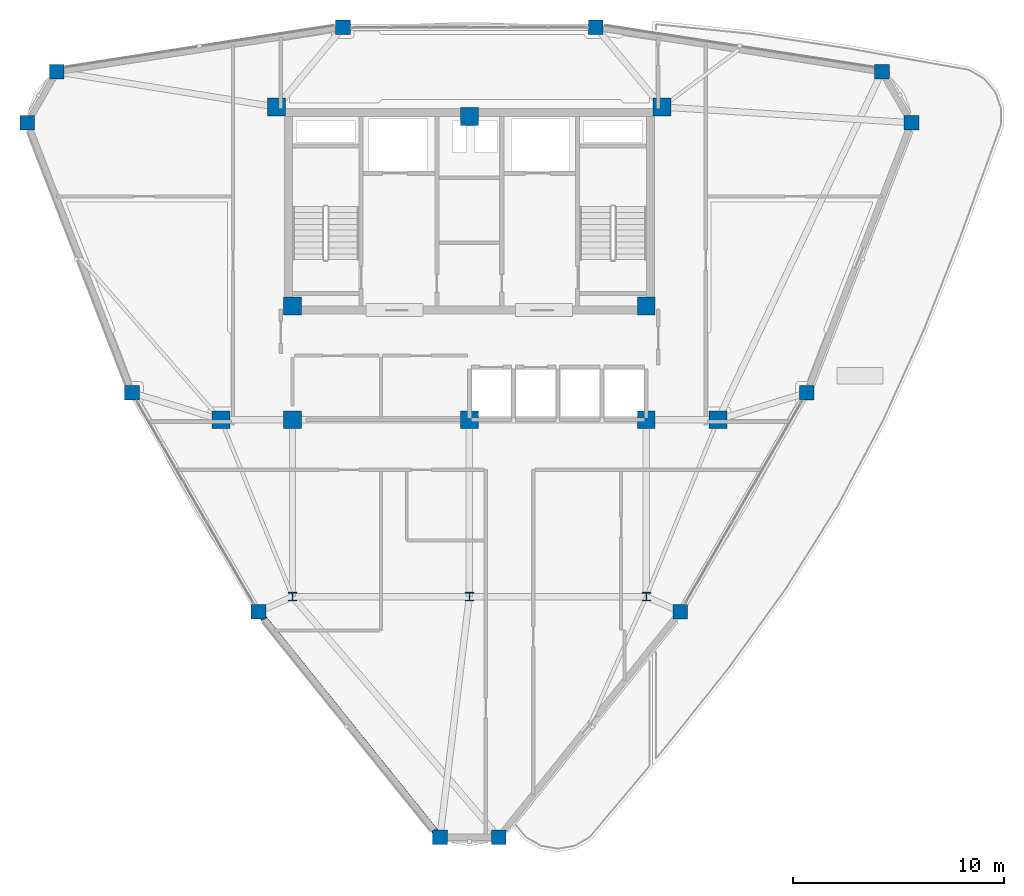
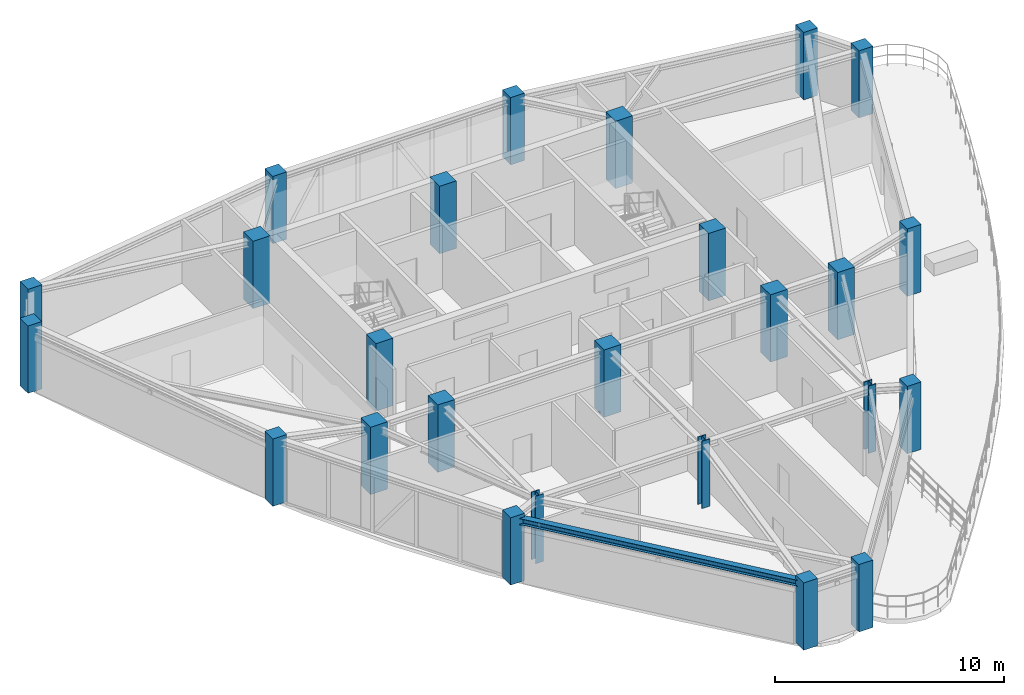
# One storey, part 1 of 16: 25 columns, 1 beam.
"""IFC4 building model written with IfcOpenShell, lengths in metres."""

from ifc_helpers import new_model, si_unit, derived_unit, direction, frame, origin, origin_2d, place, context, subcontext, project, spatial, rectangle, i_section, extrude, source, transform, mapped, material, material_profile, profile_set, type_object, element, save


model = new_model("IFC4")

# Units and contexts
model_context = context("Model", 3, precision=1e-05, world=origin(), true_north=direction((0.0, 1.0)))
body_context = subcontext(model_context, "Body", "Model", "MODEL_VIEW")
ifc_project = project(units=[si_unit("LENGTHUNIT", "METRE"), si_unit("AREAUNIT", "SQUARE_METRE"), si_unit("VOLUMEUNIT", "CUBIC_METRE"), si_unit("PLANEANGLEUNIT", "RADIAN"), si_unit("MASSUNIT", "GRAM", prefix="KILO"), derived_unit("THERMALTRANSMITTANCEUNIT", [(si_unit("POWERUNIT", "WATT"), 1), (si_unit("LENGTHUNIT", "METRE"), -2), (si_unit("THERMODYNAMICTEMPERATUREUNIT", "KELVIN"), -1)])], contexts=[model_context])

# Site, building, storey
site_placement = place(None, origin())
site = spatial("IfcSite", under=ifc_project, at=site_placement, CompositionType="ELEMENT")
building_placement = place(site_placement, origin())
building = spatial("IfcBuilding", under=site, at=building_placement, Name="Korsvarv Bourse and Concert Hall", CompositionType="ELEMENT")
storey_placement = place(building_placement, frame((0.0, 0.0, 243.0)))
storey = spatial("IfcBuildingStorey", under=building, at=storey_placement, Name="L63", CompositionType="ELEMENT", Elevation=243.0)

# Columns
ifc_material_1 = material(Name="Concrete C50/60", Category="concrete")
ifc_material_profile_1 = material_profile(ifc_material_1, rectangle(XDim=0.85009765625, YDim=0.85009765625, at=origin_2d()), Name="RC 850x850")
ifc_profile_set_1 = profile_set([ifc_material_profile_1], Name="Concrete C50/60")
column_type_1 = type_object("IfcColumnType", Name="COL-RC850", PredefinedType="COLUMN", material=ifc_profile_set_1)
shared_shape_1 = source(origin(), body_context, "Body", "SweptSolid", [
    extrude(rectangle(XDim=0.85009765625, YDim=0.85009765625, at=origin_2d()), origin(), (0.0, 0.0, 1.0), 3.60009765625),
])
for number, where, z_axis, x_axis, name in (
    (1, (26.85009765625, 47.25, 0.0), (0.0, 0.0, 1.0), (1.0, 0.0, 0.0), "L63 column C-04"),
    (2, (45.14990234375, 47.25, 0.0), (0.0, 0.0, 1.0), (1.0, 0.0, 0.0), "L63 column C-04"),
    (3, (27.60009765625, 37.800048828125, 0.0), (0.0, 0.0, 1.0), (1.0, 0.0, 0.0), "L63 column C-04"),
    (4, (44.39990234375, 37.800048828125, 0.0), (0.0, 0.0, 1.0), (1.0, 0.0, 0.0), "L63 column C-04"),
    (5, (27.60009765625, 32.39990234375, 0.0), (0.0, 0.0, 1.0), (1.0, 0.0, 0.0), "L63 column C-04"),
    (6, (44.39990234375, 32.39990234375, 0.0), (0.0, 0.0, 1.0), (1.0, 0.0, 0.0), "L63 column C-04"),
    (7, (36.0, 46.800048828125, 0.0), (0.0, 0.0, 1.0), (1.0, 0.0, 0.0), "L63 column C-04"),
    (8, (36.0, 32.39990234375, 0.0), (0.0, 0.0, 1.0), (1.0, 0.0, 0.0), "L63 column C-04"),
    (9, (24.199951171875, 32.39990234375, 0.0), (0.0, 0.0, 1.0), (1.0, 0.0, 0.0), "L63 column C-04"),
    (10, (47.800048828125, 32.39990234375, 0.0), (0.0, 0.0, 1.0), (1.0, 0.0, 0.0), "L63 column C-04"),
):
    element("IfcColumn", number, at=place(storey_placement, frame(where, z_axis=z_axis, x_axis=x_axis)), inside=storey, type_object=column_type_1, Name=name, PredefinedType="COLUMN", context=body_context, shape_type="MappedRepresentation", body=[
        mapped(shared_shape_1, transform((0.0, 0.0, 0.0), scale=1.0)),
    ])
ifc_material_2 = material(Name="Steel S355", Category="steel")
ifc_material_profile_2 = material_profile(ifc_material_2, i_section(OverallWidth=0.40087890625, OverallDepth=0.39892578125, WebThickness=0.0224609375, FlangeThickness=0.035888671875, FilletRadius=0.014892578125, at=origin_2d()), Name="HD 400x314")
ifc_profile_set_2 = profile_set([ifc_material_profile_2], Name="Steel S355")
column_type_2 = type_object("IfcColumnType", Name="COL-HD314", PredefinedType="COLUMN", material=ifc_profile_set_2)
shared_shape_2 = source(origin(), body_context, "Body", "SweptSolid", [
    extrude(i_section(OverallWidth=0.40087890625, OverallDepth=0.39892578125, WebThickness=0.0224609375, FlangeThickness=0.035888671875, FilletRadius=0.014892578125, at=origin_2d()), origin(), (0.0, 0.0, 1.0), 3.60009765625),
])
for number, where, z_axis, x_axis, name in (
    (11, (27.60009765625, 24.0, 0.0), (0.0, 0.0, 1.0), (1.0, 0.0, 0.0), "L63 column C-11"),
    (12, (44.39990234375, 24.0, 0.0), (0.0, 0.0, 1.0), (1.0, 0.0, 0.0), "L63 column C-11"),
    (13, (36.0, 24.0, 0.0), (0.0, 0.0, 1.0), (1.0, 0.0, 0.0), "L63 column C-11"),
):
    element("IfcColumn", number, at=place(storey_placement, frame(where, z_axis=z_axis, x_axis=x_axis)), inside=storey, type_object=column_type_2, Name=name, PredefinedType="COLUMN", context=body_context, shape_type="MappedRepresentation", body=[
        mapped(shared_shape_2, transform((0.0, 0.0, 0.0), scale=1.0)),
    ])
ifc_material_profile_3 = material_profile(ifc_material_1, rectangle(XDim=0.699951171875, YDim=0.699951171875, at=origin_2d()), Name="RC 700x700")
ifc_profile_set_3 = profile_set([ifc_material_profile_3], Name="Concrete C50/60")
column_type_3 = type_object("IfcColumnType", Name="COL-RC700", PredefinedType="COLUMN", material=ifc_profile_set_3)
shared_shape_3 = source(origin(), body_context, "Body", "SweptSolid", [
    extrude(rectangle(XDim=0.699951171875, YDim=0.699951171875, at=origin_2d()), origin(), (0.0, 0.0, 1.0), 3.60009765625),
])
for number, where, z_axis, x_axis, name in (
    (14, (56.98779296875, 46.503662109375, 0.0), (0.0, 0.0, 1.0), (1.0, 0.0, 0.0), "L63 column C-05"),
    (15, (55.59033203125, 48.924072265625, 0.0), (0.0, 0.0, 1.0), (1.0, 0.0, 0.0), "L63 column C-05"),
    (16, (42.00439453125, 51.03271484375, 0.0), (0.0, 0.0, 1.0), (1.0, 0.0, 0.0), "L63 column C-05"),
    (17, (29.99560546875, 51.03271484375, 0.0), (0.0, 0.0, 1.0), (1.0, 0.0, 0.0), "L63 column C-05"),
    (18, (16.40966796875, 48.924072265625, 0.0), (0.0, 0.0, 1.0), (1.0, 0.0, 0.0), "L63 column C-05"),
    (19, (15.01220703125, 46.503662109375, 0.0), (0.0, 0.0, 1.0), (1.0, 0.0, 0.0), "L63 column C-05"),
    (20, (19.97900390625, 33.68359375, 0.0), (0.0, 0.0, 1.0), (1.0, 0.0, 0.0), "L63 column C-05"),
    (21, (25.9833984375, 23.28369140625, 0.0), (0.0, 0.0, 1.0), (1.0, 0.0, 0.0), "L63 column C-05"),
    (22, (34.6025390625, 12.572265625, 0.0), (0.0, 0.0, 1.0), (1.0, 0.0, 0.0), "L63 column C-05"),
    (23, (37.3974609375, 12.572265625, 0.0), (0.0, 0.0, 1.0), (1.0, 0.0, 0.0), "L63 column C-05"),
    (24, (46.0166015625, 23.28369140625, 0.0), (0.0, 0.0, 1.0), (1.0, 0.0, 0.0), "L63 column C-05"),
    (25, (52.02099609375, 33.68359375, 0.0), (0.0, 0.0, 1.0), (1.0, 0.0, 0.0), "L63 column C-05"),
):
    element("IfcColumn", number, at=place(storey_placement, frame(where, z_axis=z_axis, x_axis=x_axis)), inside=storey, type_object=column_type_3, Name=name, PredefinedType="COLUMN", context=body_context, shape_type="MappedRepresentation", body=[
        mapped(shared_shape_3, transform((0.0, 0.0, 0.0), scale=1.0)),
    ])

# Beam
ifc_material_profile_4 = material_profile(ifc_material_2, i_section(OverallWidth=0.300048828125, OverallDepth=0.330078125, WebThickness=0.009521484375, FlangeThickness=0.0166015625, FilletRadius=0.02099609375, at=origin_2d()), Name="HEA 340")
ifc_profile_set_4 = profile_set([ifc_material_profile_4], Name="Steel S355")
beam_type = type_object("IfcBeamType", Name="BM-HEA340", PredefinedType="BEAM", material=ifc_profile_set_4)
shared_shape_4 = source(origin(), body_context, "Body", "SweptSolid", [
    extrude(i_section(OverallWidth=0.300048828125, OverallDepth=0.330078125, WebThickness=0.009521484375, FlangeThickness=0.0166015625, FilletRadius=0.02099609375, at=origin_2d()), origin(), (0.0, 0.0, 1.0), 13.74853515625),
])
beam_placement = place(storey_placement, frame((25.9833984375, 23.28369140625, 3.2451171875), z_axis=(0.626910047977, -0.77909164528, 0.0), x_axis=(0.77909164528, 0.626910047977, 0.0)))
element("IfcBeam", 26, at=beam_placement, inside=storey, type_object=beam_type, Name="L63 beam B-12", PredefinedType="BEAM", context=body_context, shape_type="MappedRepresentation", body=[
    mapped(shared_shape_4, transform((0.0, 0.0, 0.0), scale=1.0)),
])

save(model, "model.ifc")
